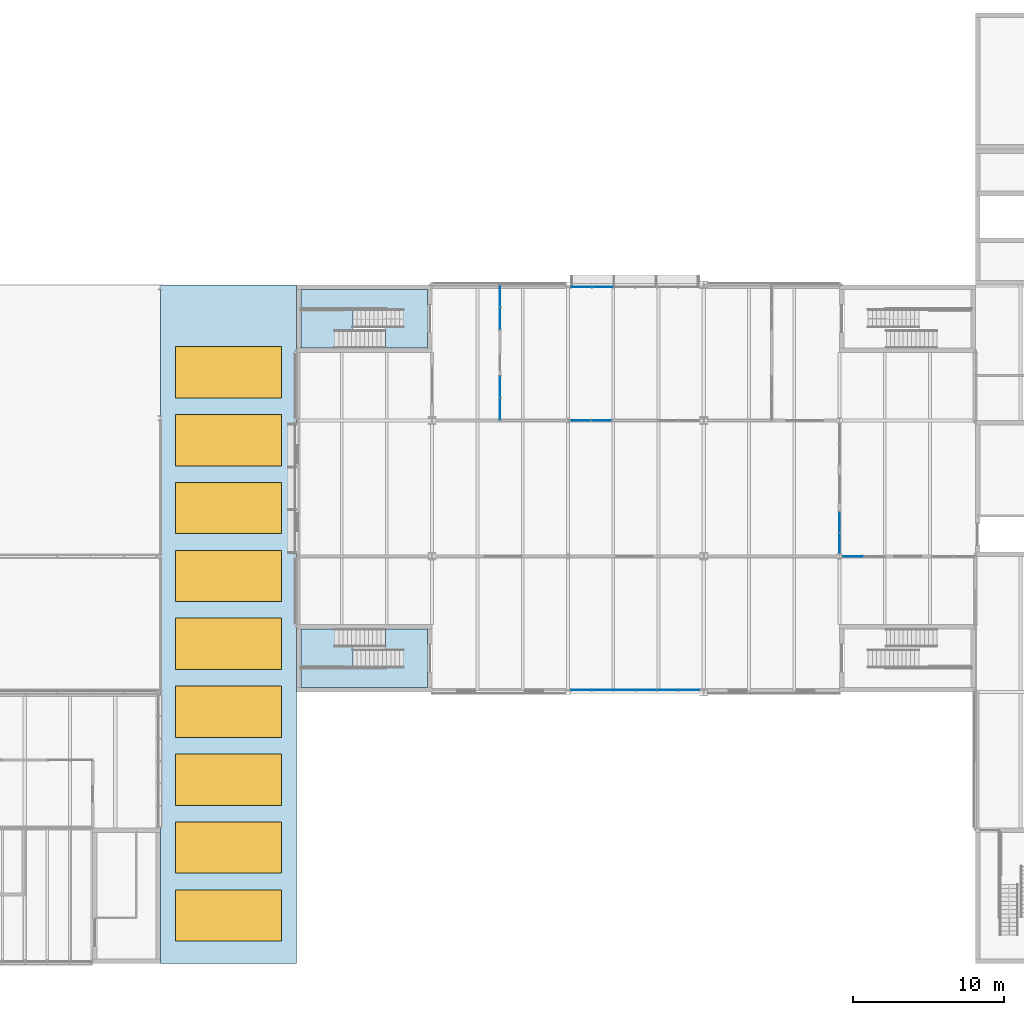
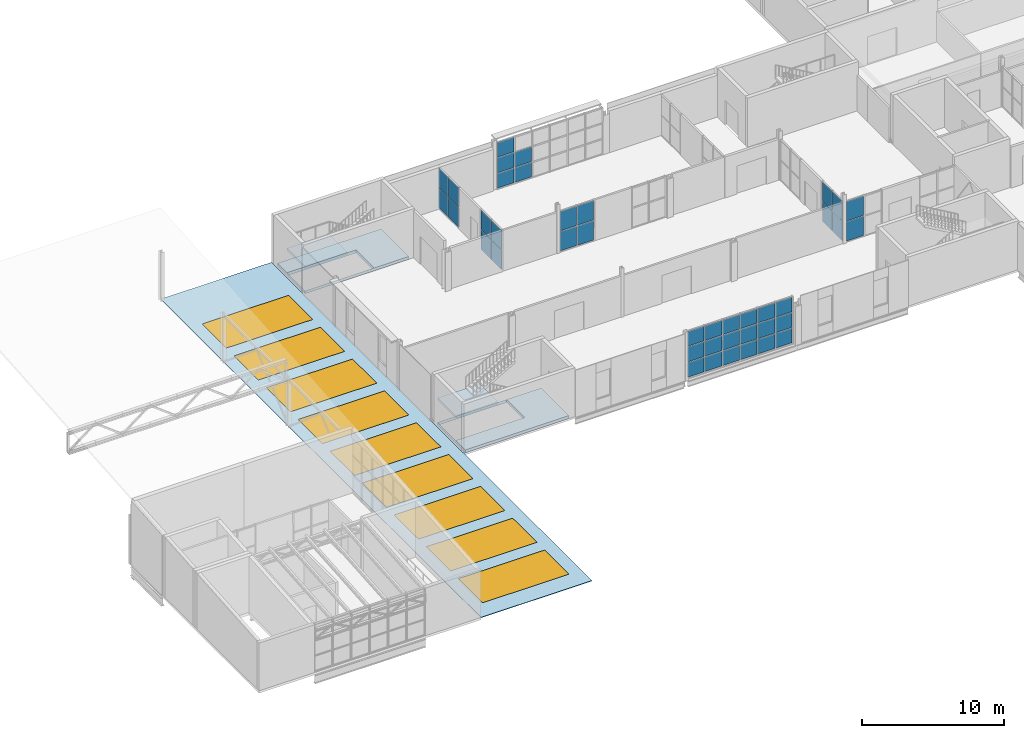
# One storey, part 35 of 61: 41 plates, 9 windows, 5 slabs, 9 openings, 9 elements without a shape of their own.
"""IFC4 building model written with IfcOpenShell, lengths in metres."""

from ifc_helpers import new_model, si_unit, direction, frame, origin, origin_2d, place, context, subcontext, project, spatial, polyline, rectangle, outline, extrude, material, layer, layer_set, type_object, element, fill, aggregate, save


model = new_model("IFC4")

# Units and contexts
model_context = context("Model", 3, precision=1e-05, world=origin(), true_north=direction((0.0, 1.0)))
body_context = subcontext(model_context, "Body", "Model", "MODEL_VIEW")
ifc_project = project(units=[si_unit("LENGTHUNIT", "METRE"), si_unit("AREAUNIT", "SQUARE_METRE"), si_unit("VOLUMEUNIT", "CUBIC_METRE"), si_unit("PLANEANGLEUNIT", "RADIAN"), si_unit("MASSUNIT", "GRAM", prefix="KILO")], contexts=[model_context])

# Site, building, storey
site_placement = place(None, origin())
site = spatial("IfcSite", under=ifc_project, at=site_placement, CompositionType="ELEMENT")
building_placement = place(site_placement, origin())
building = spatial("IfcBuilding", under=site, at=building_placement, Name="Halyard Row Museum", CompositionType="ELEMENT")
storey_placement = place(building_placement, frame((0.0, 0.0, 9.199951171875)))
storey = spatial("IfcBuildingStorey", under=building, at=storey_placement, Name="L02", CompositionType="ELEMENT", Elevation=9.199951171875)

# Slabs
ifc_material_1 = material(Name="Concrete 40 MPa", Category="concrete")
ifc_layer_1 = layer(ifc_material_1, 0.25)
ifc_layer_set_1 = layer_set([ifc_layer_1], Name="Concrete 40 MPa")
slab_type_1 = type_object("IfcSlabType", Name="Core floor slab 250", PredefinedType="FLOOR", material=ifc_layer_set_1)
slab_1_placement = place(storey_placement, frame((0.0, 0.0, -0.25)))
element("IfcSlab", 1, at=slab_1_placement, inside=storey, type_object=slab_type_1, Name="Core floor K1A L02", PredefinedType="FLOOR", context=body_context, shape_type="SweptSolid", body=[
    extrude(outline(polyline([(35.699951171875, 44.699951171875), (27.300048828125, 44.699951171875), (27.300048828125, 40.800048828125), (35.699951171875, 40.800048828125), (35.699951171875, 44.699951171875)]), holes=[polyline([(32.89697265625, 43.346923828125), (32.89697265625, 40.802978515625), (27.302978515625, 40.802978515625), (27.302978515625, 43.346923828125), (32.89697265625, 43.346923828125)])]), origin(), (0.0, 0.0, 1.0), 0.25),
])
slab_2_placement = place(storey_placement, frame((0.0, 0.0, -0.25)))
element("IfcSlab", 2, at=slab_2_placement, inside=storey, type_object=slab_type_1, Name="Core floor K1D L02", PredefinedType="FLOOR", context=body_context, shape_type="SweptSolid", body=[
    extrude(outline(polyline([(35.699951171875, 22.199951171875), (27.300048828125, 22.199951171875), (27.300048828125, 18.300048828125), (35.699951171875, 18.300048828125), (35.699951171875, 22.199951171875)]), holes=[polyline([(27.302978515625, 19.653076171875), (27.302978515625, 22.197021484375), (32.89697265625, 22.197021484375), (32.89697265625, 19.653076171875), (27.302978515625, 19.653076171875)])]), origin(), (0.0, 0.0, 1.0), 0.25),
])

# Curtain wall, plates
ifc_material_2 = material(Name="Double glazed unit, low-emissivity", Category="glass")
ifc_layer_2 = layer(ifc_material_2, 0.179931640625)
ifc_layer_set_2 = layer_set([ifc_layer_2], Name="Double glazed unit, low-emissivity")
curtain_wall_type_1 = type_object("IfcCurtainWallType", Name="Curtain wall stick 180 deep", PredefinedType="NOTDEFINED", material=ifc_layer_set_2)
curtain_wall_1_placement = place(storey_placement, origin())
curtain_wall_1 = element("IfcCurtainWall", 3, at=curtain_wall_1_placement, inside=storey, type_object=curtain_wall_type_1, Name="Curtain wall CW035", PredefinedType="NOTDEFINED")
ifc_material_3 = material(Name="Double glazed unit, low-emissivity", Category="glass")
ifc_layer_3 = layer(ifc_material_3, 0.028076171875)
ifc_layer_set_3 = layer_set([ifc_layer_3], Name="Double glazed unit, low-emissivity")
plate_type_1 = type_object("IfcPlateType", Name="Curtain wall glazed panel CP2 28", PredefinedType="CURTAIN_PANEL", material=ifc_layer_set_3)
plate_1_placement = place(storey_placement, frame((47.300048828125, 44.860107421875, 0.06005859375), z_axis=(0.0, 0.0, 1.0), x_axis=(-1.0, 0.0, 0.0)))
plate_1 = element("IfcPlate", 4, at=plate_1_placement, type_object=plate_type_1, Name="CW035 panel 5.1", PredefinedType="CURTAIN_PANEL", context=body_context, shape_type="SweptSolid", body=[
    extrude(rectangle(XDim=1.373291015625, YDim=0.028076171875, at=origin_2d()), origin(), (0.0, 0.0, 1.0), 1.2548828125),
])
plate_2_placement = place(storey_placement, frame((47.300048828125, 44.860107421875, 1.375), z_axis=(0.0, 0.0, 1.0), x_axis=(-1.0, 0.0, 0.0)))
plate_2 = element("IfcPlate", 5, at=plate_2_placement, type_object=plate_type_1, Name="CW035 panel 5.2", PredefinedType="CURTAIN_PANEL", context=body_context, shape_type="SweptSolid", body=[
    extrude(rectangle(XDim=1.373291015625, YDim=0.028076171875, at=origin_2d()), origin(), (0.0, 0.0, 1.0), 1.284912109375),
])
plate_3_placement = place(storey_placement, frame((45.881591796875, 44.860107421875, 0.06005859375), z_axis=(0.0, 0.0, 1.0), x_axis=(-1.0, 0.0, 0.0)))
plate_3 = element("IfcPlate", 6, at=plate_3_placement, type_object=plate_type_1, Name="CW035 panel 6.1", PredefinedType="CURTAIN_PANEL", context=body_context, shape_type="SweptSolid", body=[
    extrude(rectangle(XDim=1.34326171875, YDim=0.028076171875, at=origin_2d()), origin(), (0.0, 0.0, 1.0), 1.2548828125),
])
plate_4_placement = place(storey_placement, frame((45.881591796875, 44.860107421875, 1.375), z_axis=(0.0, 0.0, 1.0), x_axis=(-1.0, 0.0, 0.0)))
plate_4 = element("IfcPlate", 7, at=plate_4_placement, type_object=plate_type_1, Name="CW035 panel 6.2", PredefinedType="CURTAIN_PANEL", context=body_context, shape_type="SweptSolid", body=[
    extrude(rectangle(XDim=1.34326171875, YDim=0.028076171875, at=origin_2d()), origin(), (0.0, 0.0, 1.0), 1.284912109375),
])
plate_5_placement = place(storey_placement, frame((45.881591796875, 44.860107421875, 2.72021484375), z_axis=(0.0, 0.0, 1.0), x_axis=(-1.0, 0.0, 0.0)))
plate_5 = element("IfcPlate", 8, at=plate_5_placement, type_object=plate_type_1, Name="CW035 panel 6.3", PredefinedType="CURTAIN_PANEL", context=body_context, shape_type="SweptSolid", body=[
    extrude(rectangle(XDim=1.34326171875, YDim=0.028076171875, at=origin_2d()), origin(), (0.0, 0.0, 1.0), 1.2548828125),
])
aggregate(curtain_wall_1, [plate_1, plate_2, plate_3, plate_4, plate_5])

curtain_wall_2_placement = place(storey_placement, origin())
curtain_wall_2 = element("IfcCurtainWall", 9, at=curtain_wall_2_placement, inside=storey, type_object=curtain_wall_type_1, Name="Curtain wall CW036", PredefinedType="NOTDEFINED")
plate_6_placement = place(storey_placement, frame((45.881591796875, 18.139892578125, 0.06005859375), z_axis=(0.0, 0.0, 1.0), x_axis=(1.0, 0.0, 0.0)))
plate_6 = element("IfcPlate", 10, at=plate_6_placement, type_object=plate_type_1, Name="CW036 panel 1.1", PredefinedType="CURTAIN_PANEL", context=body_context, shape_type="SweptSolid", body=[
    extrude(rectangle(XDim=1.34326171875, YDim=0.028076171875, at=origin_2d()), origin(), (0.0, 0.0, 1.0), 1.2548828125),
])
plate_7_placement = place(storey_placement, frame((45.881591796875, 18.139892578125, 1.375), z_axis=(0.0, 0.0, 1.0), x_axis=(1.0, 0.0, 0.0)))
plate_7 = element("IfcPlate", 11, at=plate_7_placement, type_object=plate_type_1, Name="CW036 panel 1.2", PredefinedType="CURTAIN_PANEL", context=body_context, shape_type="SweptSolid", body=[
    extrude(rectangle(XDim=1.34326171875, YDim=0.028076171875, at=origin_2d()), origin(), (0.0, 0.0, 1.0), 1.284912109375),
])
plate_8_placement = place(storey_placement, frame((45.881591796875, 18.139892578125, 2.72021484375), z_axis=(0.0, 0.0, 1.0), x_axis=(1.0, 0.0, 0.0)))
plate_8 = element("IfcPlate", 12, at=plate_8_placement, type_object=plate_type_1, Name="CW036 panel 1.3", PredefinedType="CURTAIN_PANEL", context=body_context, shape_type="SweptSolid", body=[
    extrude(rectangle(XDim=1.34326171875, YDim=0.028076171875, at=origin_2d()), origin(), (0.0, 0.0, 1.0), 1.2548828125),
])
plate_9_placement = place(storey_placement, frame((47.300048828125, 18.139892578125, 0.06005859375), z_axis=(0.0, 0.0, 1.0), x_axis=(1.0, 0.0, 0.0)))
plate_9 = element("IfcPlate", 13, at=plate_9_placement, type_object=plate_type_1, Name="CW036 panel 2.1", PredefinedType="CURTAIN_PANEL", context=body_context, shape_type="SweptSolid", body=[
    extrude(rectangle(XDim=1.373291015625, YDim=0.028076171875, at=origin_2d()), origin(), (0.0, 0.0, 1.0), 1.2548828125),
])
plate_10_placement = place(storey_placement, frame((47.300048828125, 18.139892578125, 1.375), z_axis=(0.0, 0.0, 1.0), x_axis=(1.0, 0.0, 0.0)))
plate_10 = element("IfcPlate", 14, at=plate_10_placement, type_object=plate_type_1, Name="CW036 panel 2.2", PredefinedType="CURTAIN_PANEL", context=body_context, shape_type="SweptSolid", body=[
    extrude(rectangle(XDim=1.373291015625, YDim=0.028076171875, at=origin_2d()), origin(), (0.0, 0.0, 1.0), 1.284912109375),
])
plate_11_placement = place(storey_placement, frame((47.300048828125, 18.139892578125, 2.72021484375), z_axis=(0.0, 0.0, 1.0), x_axis=(1.0, 0.0, 0.0)))
plate_11 = element("IfcPlate", 15, at=plate_11_placement, type_object=plate_type_1, Name="CW036 panel 2.3", PredefinedType="CURTAIN_PANEL", context=body_context, shape_type="SweptSolid", body=[
    extrude(rectangle(XDim=1.373291015625, YDim=0.028076171875, at=origin_2d()), origin(), (0.0, 0.0, 1.0), 1.2548828125),
])
plate_12_placement = place(storey_placement, frame((48.7333984375, 18.139892578125, 0.06005859375), z_axis=(0.0, 0.0, 1.0), x_axis=(1.0, 0.0, 0.0)))
plate_12 = element("IfcPlate", 16, at=plate_12_placement, type_object=plate_type_1, Name="CW036 panel 3.1", PredefinedType="CURTAIN_PANEL", context=body_context, shape_type="SweptSolid", body=[
    extrude(rectangle(XDim=1.373291015625, YDim=0.028076171875, at=origin_2d()), origin(), (0.0, 0.0, 1.0), 1.2548828125),
])
plate_13_placement = place(storey_placement, frame((48.7333984375, 18.139892578125, 1.375), z_axis=(0.0, 0.0, 1.0), x_axis=(1.0, 0.0, 0.0)))
plate_13 = element("IfcPlate", 17, at=plate_13_placement, type_object=plate_type_1, Name="CW036 panel 3.2", PredefinedType="CURTAIN_PANEL", context=body_context, shape_type="SweptSolid", body=[
    extrude(rectangle(XDim=1.373291015625, YDim=0.028076171875, at=origin_2d()), origin(), (0.0, 0.0, 1.0), 1.284912109375),
])
plate_14_placement = place(storey_placement, frame((48.7333984375, 18.139892578125, 2.72021484375), z_axis=(0.0, 0.0, 1.0), x_axis=(1.0, 0.0, 0.0)))
plate_14 = element("IfcPlate", 18, at=plate_14_placement, type_object=plate_type_1, Name="CW036 panel 3.3", PredefinedType="CURTAIN_PANEL", context=body_context, shape_type="SweptSolid", body=[
    extrude(rectangle(XDim=1.373291015625, YDim=0.028076171875, at=origin_2d()), origin(), (0.0, 0.0, 1.0), 1.2548828125),
])
plate_15_placement = place(storey_placement, frame((50.166748046875, 18.139892578125, 0.06005859375), z_axis=(0.0, 0.0, 1.0), x_axis=(1.0, 0.0, 0.0)))
plate_15 = element("IfcPlate", 19, at=plate_15_placement, type_object=plate_type_1, Name="CW036 panel 4.1", PredefinedType="CURTAIN_PANEL", context=body_context, shape_type="SweptSolid", body=[
    extrude(rectangle(XDim=1.373291015625, YDim=0.028076171875, at=origin_2d()), origin(), (0.0, 0.0, 1.0), 1.2548828125),
])
plate_16_placement = place(storey_placement, frame((50.166748046875, 18.139892578125, 1.375), z_axis=(0.0, 0.0, 1.0), x_axis=(1.0, 0.0, 0.0)))
plate_16 = element("IfcPlate", 20, at=plate_16_placement, type_object=plate_type_1, Name="CW036 panel 4.2", PredefinedType="CURTAIN_PANEL", context=body_context, shape_type="SweptSolid", body=[
    extrude(rectangle(XDim=1.373291015625, YDim=0.028076171875, at=origin_2d()), origin(), (0.0, 0.0, 1.0), 1.284912109375),
])
plate_17_placement = place(storey_placement, frame((50.166748046875, 18.139892578125, 2.72021484375), z_axis=(0.0, 0.0, 1.0), x_axis=(1.0, 0.0, 0.0)))
plate_17 = element("IfcPlate", 21, at=plate_17_placement, type_object=plate_type_1, Name="CW036 panel 4.3", PredefinedType="CURTAIN_PANEL", context=body_context, shape_type="SweptSolid", body=[
    extrude(rectangle(XDim=1.373291015625, YDim=0.028076171875, at=origin_2d()), origin(), (0.0, 0.0, 1.0), 1.2548828125),
])
plate_18_placement = place(storey_placement, frame((51.60009765625, 18.139892578125, 0.06005859375), z_axis=(0.0, 0.0, 1.0), x_axis=(1.0, 0.0, 0.0)))
plate_18 = element("IfcPlate", 22, at=plate_18_placement, type_object=plate_type_1, Name="CW036 panel 5.1", PredefinedType="CURTAIN_PANEL", context=body_context, shape_type="SweptSolid", body=[
    extrude(rectangle(XDim=1.373291015625, YDim=0.028076171875, at=origin_2d()), origin(), (0.0, 0.0, 1.0), 1.2548828125),
])
plate_19_placement = place(storey_placement, frame((51.60009765625, 18.139892578125, 1.375), z_axis=(0.0, 0.0, 1.0), x_axis=(1.0, 0.0, 0.0)))
plate_19 = element("IfcPlate", 23, at=plate_19_placement, type_object=plate_type_1, Name="CW036 panel 5.2", PredefinedType="CURTAIN_PANEL", context=body_context, shape_type="SweptSolid", body=[
    extrude(rectangle(XDim=1.373291015625, YDim=0.028076171875, at=origin_2d()), origin(), (0.0, 0.0, 1.0), 1.284912109375),
])
plate_20_placement = place(storey_placement, frame((51.60009765625, 18.139892578125, 2.72021484375), z_axis=(0.0, 0.0, 1.0), x_axis=(1.0, 0.0, 0.0)))
plate_20 = element("IfcPlate", 24, at=plate_20_placement, type_object=plate_type_1, Name="CW036 panel 5.3", PredefinedType="CURTAIN_PANEL", context=body_context, shape_type="SweptSolid", body=[
    extrude(rectangle(XDim=1.373291015625, YDim=0.028076171875, at=origin_2d()), origin(), (0.0, 0.0, 1.0), 1.2548828125),
])
plate_21_placement = place(storey_placement, frame((53.018310546875, 18.139892578125, 0.06005859375), z_axis=(0.0, 0.0, 1.0), x_axis=(1.0, 0.0, 0.0)))
plate_21 = element("IfcPlate", 25, at=plate_21_placement, type_object=plate_type_1, Name="CW036 panel 6.1", PredefinedType="CURTAIN_PANEL", context=body_context, shape_type="SweptSolid", body=[
    extrude(rectangle(XDim=1.34326171875, YDim=0.028076171875, at=origin_2d()), origin(), (0.0, 0.0, 1.0), 1.2548828125),
])
plate_22_placement = place(storey_placement, frame((53.018310546875, 18.139892578125, 1.375), z_axis=(0.0, 0.0, 1.0), x_axis=(1.0, 0.0, 0.0)))
plate_22 = element("IfcPlate", 26, at=plate_22_placement, type_object=plate_type_1, Name="CW036 panel 6.2", PredefinedType="CURTAIN_PANEL", context=body_context, shape_type="SweptSolid", body=[
    extrude(rectangle(XDim=1.34326171875, YDim=0.028076171875, at=origin_2d()), origin(), (0.0, 0.0, 1.0), 1.284912109375),
])
plate_23_placement = place(storey_placement, frame((53.018310546875, 18.139892578125, 2.72021484375), z_axis=(0.0, 0.0, 1.0), x_axis=(1.0, 0.0, 0.0)))
plate_23 = element("IfcPlate", 27, at=plate_23_placement, type_object=plate_type_1, Name="CW036 panel 6.3", PredefinedType="CURTAIN_PANEL", context=body_context, shape_type="SweptSolid", body=[
    extrude(rectangle(XDim=1.34326171875, YDim=0.028076171875, at=origin_2d()), origin(), (0.0, 0.0, 1.0), 1.2548828125),
])
aggregate(curtain_wall_2, [plate_6, plate_7, plate_8, plate_9, plate_10, plate_11, plate_12, plate_13, plate_14, plate_15, plate_16, plate_17, plate_18, plate_19, plate_20, plate_21, plate_22, plate_23])

curtain_wall_3_placement = place(storey_placement, origin())
curtain_wall_3 = element("IfcCurtainWall", 28, at=curtain_wall_3_placement, inside=storey, type_object=curtain_wall_type_1, Name="Curtain wall CW164", PredefinedType="NOTDEFINED")
plate_24_placement = place(storey_placement, frame((45.844970703125, 36.0, 0.06005859375), z_axis=(0.0, 0.0, 1.0), x_axis=(1.0, 0.0, 0.0)))
plate_24 = element("IfcPlate", 29, at=plate_24_placement, type_object=plate_type_1, Name="CW164 panel 1.1", PredefinedType="CURTAIN_PANEL", context=body_context, shape_type="SweptSolid", body=[
    extrude(rectangle(XDim=1.315673828125, YDim=0.028076171875, at=origin_2d()), origin(), (0.0, 0.0, 1.0), 1.660888671875),
])
plate_25_placement = place(storey_placement, frame((45.844970703125, 36.0, 1.78125), z_axis=(0.0, 0.0, 1.0), x_axis=(1.0, 0.0, 0.0)))
plate_25 = element("IfcPlate", 30, at=plate_25_placement, type_object=plate_type_1, Name="CW164 panel 1.2", PredefinedType="CURTAIN_PANEL", context=body_context, shape_type="SweptSolid", body=[
    extrude(rectangle(XDim=1.315673828125, YDim=0.028076171875, at=origin_2d()), origin(), (0.0, 0.0, 1.0), 1.660888671875),
])
plate_26_placement = place(storey_placement, frame((47.220703125, 36.0, 0.06005859375), z_axis=(0.0, 0.0, 1.0), x_axis=(1.0, 0.0, 0.0)))
plate_26 = element("IfcPlate", 31, at=plate_26_placement, type_object=plate_type_1, Name="CW164 panel 2.1", PredefinedType="CURTAIN_PANEL", context=body_context, shape_type="SweptSolid", body=[
    extrude(rectangle(XDim=1.315673828125, YDim=0.028076171875, at=origin_2d()), origin(), (0.0, 0.0, 1.0), 1.660888671875),
])
plate_27_placement = place(storey_placement, frame((47.220703125, 36.0, 1.78125), z_axis=(0.0, 0.0, 1.0), x_axis=(1.0, 0.0, 0.0)))
plate_27 = element("IfcPlate", 32, at=plate_27_placement, type_object=plate_type_1, Name="CW164 panel 2.2", PredefinedType="CURTAIN_PANEL", context=body_context, shape_type="SweptSolid", body=[
    extrude(rectangle(XDim=1.315673828125, YDim=0.028076171875, at=origin_2d()), origin(), (0.0, 0.0, 1.0), 1.660888671875),
])
aggregate(curtain_wall_3, [plate_24, plate_25, plate_26, plate_27])

ifc_material_4 = material(Name="Fire-resisting laminated glazing", Category="glass")
ifc_layer_4 = layer(ifc_material_4, 0.159912109375)
ifc_layer_set_4 = layer_set([ifc_layer_4], Name="Fire-resisting laminated glazing")
curtain_wall_type_2 = type_object("IfcCurtainWallType", Name="Curtain wall atrium screen 160 deep", PredefinedType="NOTDEFINED", material=ifc_layer_set_4)
curtain_wall_4_placement = place(storey_placement, origin())
curtain_wall_4 = element("IfcCurtainWall", 33, at=curtain_wall_4_placement, inside=storey, type_object=curtain_wall_type_2, Name="Curtain wall CW162", PredefinedType="NOTDEFINED")
ifc_material_5 = material(Name="Fire-resisting laminated glazing", Category="glass")
ifc_layer_5 = layer(ifc_material_5, 0.0400390625)
ifc_layer_set_5 = layer_set([ifc_layer_5], Name="Fire-resisting laminated glazing")
plate_type_2 = type_object("IfcPlateType", Name="Curtain wall glazed panel CP5 40", PredefinedType="CURTAIN_PANEL", material=ifc_layer_set_5)
plate_28_placement = place(storey_placement, frame((63.8984375, 27.0, 0.06005859375), z_axis=(0.0, 0.0, 1.0), x_axis=(1.0, 0.0, 0.0)))
plate_28 = element("IfcPlate", 34, at=plate_28_placement, type_object=plate_type_2, Name="CW162 panel 1.1", PredefinedType="CURTAIN_PANEL", context=body_context, shape_type="SweptSolid", body=[
    extrude(rectangle(XDim=1.371826171875, YDim=0.0400390625, at=origin_2d()), origin(), (0.0, 0.0, 1.0), 1.660888671875),
])
plate_29_placement = place(storey_placement, frame((63.8984375, 27.0, 1.78125), z_axis=(0.0, 0.0, 1.0), x_axis=(1.0, 0.0, 0.0)))
plate_29 = element("IfcPlate", 35, at=plate_29_placement, type_object=plate_type_2, Name="CW162 panel 1.2", PredefinedType="CURTAIN_PANEL", context=body_context, shape_type="SweptSolid", body=[
    extrude(rectangle(XDim=1.371826171875, YDim=0.0400390625, at=origin_2d()), origin(), (0.0, 0.0, 1.0), 1.660888671875),
])
aggregate(curtain_wall_4, [plate_28, plate_29])

curtain_wall_5_placement = place(storey_placement, origin())
curtain_wall_5 = element("IfcCurtainWall", 36, at=curtain_wall_5_placement, inside=storey, type_object=curtain_wall_type_2, Name="Curtain wall CW166", PredefinedType="NOTDEFINED")
plate_30_placement = place(storey_placement, frame((63.0, 27.880615234375, 0.06005859375), z_axis=(0.0, 0.0, 1.0), x_axis=(0.0, 1.0, 0.0)))
plate_30 = element("IfcPlate", 37, at=plate_30_placement, type_object=plate_type_2, Name="CW166 panel 1.1", PredefinedType="CURTAIN_PANEL", context=body_context, shape_type="SweptSolid", body=[
    extrude(rectangle(XDim=1.3330078125, YDim=0.0400390625, at=origin_2d()), origin(), (0.0, 0.0, 1.0), 1.660888671875),
])
plate_31_placement = place(storey_placement, frame((63.0, 27.880615234375, 1.78125), z_axis=(0.0, 0.0, 1.0), x_axis=(0.0, 1.0, 0.0)))
plate_31 = element("IfcPlate", 38, at=plate_31_placement, type_object=plate_type_2, Name="CW166 panel 1.2", PredefinedType="CURTAIN_PANEL", context=body_context, shape_type="SweptSolid", body=[
    extrude(rectangle(XDim=1.3330078125, YDim=0.0400390625, at=origin_2d()), origin(), (0.0, 0.0, 1.0), 1.660888671875),
])
plate_32_placement = place(storey_placement, frame((63.0, 29.2734375, 0.06005859375), z_axis=(0.0, 0.0, 1.0), x_axis=(0.0, 1.0, 0.0)))
plate_32 = element("IfcPlate", 39, at=plate_32_placement, type_object=plate_type_2, Name="CW166 panel 2.1", PredefinedType="CURTAIN_PANEL", context=body_context, shape_type="SweptSolid", body=[
    extrude(rectangle(XDim=1.3330078125, YDim=0.0400390625, at=origin_2d()), origin(), (0.0, 0.0, 1.0), 1.660888671875),
])
plate_33_placement = place(storey_placement, frame((63.0, 29.2734375, 1.78125), z_axis=(0.0, 0.0, 1.0), x_axis=(0.0, 1.0, 0.0)))
plate_33 = element("IfcPlate", 40, at=plate_33_placement, type_object=plate_type_2, Name="CW166 panel 2.2", PredefinedType="CURTAIN_PANEL", context=body_context, shape_type="SweptSolid", body=[
    extrude(rectangle(XDim=1.3330078125, YDim=0.0400390625, at=origin_2d()), origin(), (0.0, 0.0, 1.0), 1.660888671875),
])
aggregate(curtain_wall_5, [plate_30, plate_31, plate_32, plate_33])

curtain_wall_6_placement = place(storey_placement, origin())
curtain_wall_6 = element("IfcCurtainWall", 41, at=curtain_wall_6_placement, inside=storey, type_object=curtain_wall_type_2, Name="Curtain wall CW168", PredefinedType="NOTDEFINED")
plate_34_placement = place(storey_placement, frame((40.5, 36.764892578125, 0.06005859375), z_axis=(0.0, 0.0, 1.0), x_axis=(0.0, 1.0, 0.0)))
plate_34 = element("IfcPlate", 42, at=plate_34_placement, type_object=plate_type_2, Name="CW168 panel 1.1", PredefinedType="CURTAIN_PANEL", context=body_context, shape_type="SweptSolid", body=[
    extrude(rectangle(XDim=1.409912109375, YDim=0.0400390625, at=origin_2d()), origin(), (0.0, 0.0, 1.0), 1.660888671875),
])
plate_35_placement = place(storey_placement, frame((40.5, 36.764892578125, 1.78125), z_axis=(0.0, 0.0, 1.0), x_axis=(0.0, 1.0, 0.0)))
plate_35 = element("IfcPlate", 43, at=plate_35_placement, type_object=plate_type_2, Name="CW168 panel 1.2", PredefinedType="CURTAIN_PANEL", context=body_context, shape_type="SweptSolid", body=[
    extrude(rectangle(XDim=1.409912109375, YDim=0.0400390625, at=origin_2d()), origin(), (0.0, 0.0, 1.0), 1.660888671875),
])
plate_36_placement = place(storey_placement, frame((40.5, 38.235107421875, 0.06005859375), z_axis=(0.0, 0.0, 1.0), x_axis=(0.0, 1.0, 0.0)))
plate_36 = element("IfcPlate", 44, at=plate_36_placement, type_object=plate_type_2, Name="CW168 panel 2.1", PredefinedType="CURTAIN_PANEL", context=body_context, shape_type="SweptSolid", body=[
    extrude(rectangle(XDim=1.409912109375, YDim=0.0400390625, at=origin_2d()), origin(), (0.0, 0.0, 1.0), 1.660888671875),
])
plate_37_placement = place(storey_placement, frame((40.5, 38.235107421875, 1.78125), z_axis=(0.0, 0.0, 1.0), x_axis=(0.0, 1.0, 0.0)))
plate_37 = element("IfcPlate", 45, at=plate_37_placement, type_object=plate_type_2, Name="CW168 panel 2.2", PredefinedType="CURTAIN_PANEL", context=body_context, shape_type="SweptSolid", body=[
    extrude(rectangle(XDim=1.409912109375, YDim=0.0400390625, at=origin_2d()), origin(), (0.0, 0.0, 1.0), 1.660888671875),
])
aggregate(curtain_wall_6, [plate_34, plate_35, plate_36, plate_37])

curtain_wall_7_placement = place(storey_placement, origin())
curtain_wall_7 = element("IfcCurtainWall", 46, at=curtain_wall_7_placement, inside=storey, type_object=curtain_wall_type_2, Name="Curtain wall CW169", PredefinedType="NOTDEFINED")
plate_38_placement = place(storey_placement, frame((40.5, 42.764892578125, 0.06005859375), z_axis=(0.0, 0.0, 1.0), x_axis=(0.0, 1.0, 0.0)))
plate_38 = element("IfcPlate", 47, at=plate_38_placement, type_object=plate_type_2, Name="CW169 panel 1.1", PredefinedType="CURTAIN_PANEL", context=body_context, shape_type="SweptSolid", body=[
    extrude(rectangle(XDim=1.409912109375, YDim=0.0400390625, at=origin_2d()), origin(), (0.0, 0.0, 1.0), 1.660888671875),
])
plate_39_placement = place(storey_placement, frame((40.5, 42.764892578125, 1.78125), z_axis=(0.0, 0.0, 1.0), x_axis=(0.0, 1.0, 0.0)))
plate_39 = element("IfcPlate", 48, at=plate_39_placement, type_object=plate_type_2, Name="CW169 panel 1.2", PredefinedType="CURTAIN_PANEL", context=body_context, shape_type="SweptSolid", body=[
    extrude(rectangle(XDim=1.409912109375, YDim=0.0400390625, at=origin_2d()), origin(), (0.0, 0.0, 1.0), 1.660888671875),
])
plate_40_placement = place(storey_placement, frame((40.5, 44.235107421875, 0.06005859375), z_axis=(0.0, 0.0, 1.0), x_axis=(0.0, 1.0, 0.0)))
plate_40 = element("IfcPlate", 49, at=plate_40_placement, type_object=plate_type_2, Name="CW169 panel 2.1", PredefinedType="CURTAIN_PANEL", context=body_context, shape_type="SweptSolid", body=[
    extrude(rectangle(XDim=1.409912109375, YDim=0.0400390625, at=origin_2d()), origin(), (0.0, 0.0, 1.0), 1.660888671875),
])
plate_41_placement = place(storey_placement, frame((40.5, 44.235107421875, 1.78125), z_axis=(0.0, 0.0, 1.0), x_axis=(0.0, 1.0, 0.0)))
plate_41 = element("IfcPlate", 50, at=plate_41_placement, type_object=plate_type_2, Name="CW169 panel 2.2", PredefinedType="CURTAIN_PANEL", context=body_context, shape_type="SweptSolid", body=[
    extrude(rectangle(XDim=1.409912109375, YDim=0.0400390625, at=origin_2d()), origin(), (0.0, 0.0, 1.0), 1.660888671875),
])
aggregate(curtain_wall_7, [plate_38, plate_39, plate_40, plate_41])

# Stair, slab
ifc_material_6 = material(Name="Concrete 40 MPa", Category="concrete")
stair_type = type_object("IfcStairType", Name="Exit stair two flights 1200", PredefinedType="HALF_TURN_STAIR", material=ifc_material_6)
stair_1_placement = place(storey_placement, origin())
stair_1 = element("IfcStair", 51, at=stair_1_placement, inside=storey, type_object=stair_type, Name="Exit stair K1A L02", PredefinedType="HALF_TURN_STAIR")
ifc_material_7 = material(Name="Concrete 40 MPa", Category="concrete")
ifc_layer_6 = layer(ifc_material_7, 0.199951171875)
ifc_layer_set_6 = layer_set([ifc_layer_6], Name="Concrete 40 MPa")
slab_type_2 = type_object("IfcSlabType", Name="Exit stair landing 200", PredefinedType="LANDING", material=ifc_layer_set_6)
slab_3_placement = place(storey_placement, frame((0.0, 0.0, 1.900146484375)))
slab_3 = element("IfcSlab", 52, at=slab_3_placement, type_object=slab_type_2, Name="STK1A-L02 landing 1", PredefinedType="LANDING", context=body_context, shape_type="SweptSolid", body=[
    extrude(outline(polyline([(30.739990234375, 43.35009765625), (30.739990234375, 40.800048828125), (27.300048828125, 40.800048828125), (27.300048828125, 43.35009765625), (30.739990234375, 43.35009765625)])), origin(), (0.0, 0.0, 1.0), 0.199951171875),
])
aggregate(stair_1, [slab_3])

stair_2_placement = place(storey_placement, origin())
stair_2 = element("IfcStair", 53, at=stair_2_placement, inside=storey, type_object=stair_type, Name="Exit stair K1D L02", PredefinedType="HALF_TURN_STAIR")
slab_4_placement = place(storey_placement, frame((0.0, 0.0, 1.900146484375)))
slab_4 = element("IfcSlab", 54, at=slab_4_placement, type_object=slab_type_2, Name="STK1D-L02 landing 1", PredefinedType="LANDING", context=body_context, shape_type="SweptSolid", body=[
    extrude(outline(polyline([(30.739990234375, 19.64990234375), (30.739990234375, 22.199951171875), (27.300048828125, 22.199951171875), (27.300048828125, 19.64990234375), (30.739990234375, 19.64990234375)])), origin(), (0.0, 0.0, 1.0), 0.199951171875),
])
aggregate(stair_2, [slab_4])

# Slab, openings, windows
ifc_material_8 = material(Name="Double glazed unit, low-emissivity", Category="glass")
ifc_layer_7 = layer(ifc_material_8, 0.0400390625)
ifc_layer_set_7 = layer_set([ifc_layer_7], Name="Double glazed unit, low-emissivity")
slab_type_3 = type_object("IfcSlabType", Name="Passage glazed roof 40", PredefinedType="ROOF", material=ifc_layer_set_7)
slab_5_placement = place(storey_placement, frame((0.0, 0.0, -0.0400390625)))
slab_5 = element("IfcSlab", 55, at=slab_5_placement, inside=storey, type_object=slab_type_3, Name="Passage glazed roof", PredefinedType="ROOF", context=body_context, shape_type="SweptSolid", body=[
    extrude(outline(polyline([(18.0, 0.0), (27.0, 0.0), (27.0, 45.0), (18.0, 45.0), (18.0, 0.0)])), origin(), (0.0, 0.0, 1.0), 0.0400390625),
])
opening_1_placement = place(slab_5_placement, frame((22.5, 3.199951171875, -0.010009765625)))
opening_1 = element("IfcOpeningElement", 56, at=opening_1_placement, cuts=slab_5, Name="Opening RLP-01", PredefinedType="OPENING", context=body_context, shape_type="SweptSolid", body=[
    extrude(rectangle(XDim=7.0, YDim=3.39990234375, at=origin_2d()), origin(), (0.0, 0.0, 1.0), 0.06005859375),
])
opening_2_placement = place(slab_5_placement, frame((22.5, 7.699951171875, -0.010009765625)))
opening_2 = element("IfcOpeningElement", 57, at=opening_2_placement, cuts=slab_5, Name="Opening RLP-02", PredefinedType="OPENING", context=body_context, shape_type="SweptSolid", body=[
    extrude(rectangle(XDim=7.0, YDim=3.39990234375, at=origin_2d()), origin(), (0.0, 0.0, 1.0), 0.06005859375),
])
opening_3_placement = place(slab_5_placement, frame((22.5, 12.199951171875, -0.010009765625)))
opening_3 = element("IfcOpeningElement", 58, at=opening_3_placement, cuts=slab_5, Name="Opening RLP-03", PredefinedType="OPENING", context=body_context, shape_type="SweptSolid", body=[
    extrude(rectangle(XDim=7.0, YDim=3.39990234375, at=origin_2d()), origin(), (0.0, 0.0, 1.0), 0.06005859375),
])
opening_4_placement = place(slab_5_placement, frame((22.5, 16.699951171875, -0.010009765625)))
opening_4 = element("IfcOpeningElement", 59, at=opening_4_placement, cuts=slab_5, Name="Opening RLP-04", PredefinedType="OPENING", context=body_context, shape_type="SweptSolid", body=[
    extrude(rectangle(XDim=7.0, YDim=3.39990234375, at=origin_2d()), origin(), (0.0, 0.0, 1.0), 0.06005859375),
])
opening_5_placement = place(slab_5_placement, frame((22.5, 21.199951171875, -0.010009765625)))
opening_5 = element("IfcOpeningElement", 60, at=opening_5_placement, cuts=slab_5, Name="Opening RLP-05", PredefinedType="OPENING", context=body_context, shape_type="SweptSolid", body=[
    extrude(rectangle(XDim=7.0, YDim=3.39990234375, at=origin_2d()), origin(), (0.0, 0.0, 1.0), 0.06005859375),
])
opening_6_placement = place(slab_5_placement, frame((22.5, 25.699951171875, -0.010009765625)))
opening_6 = element("IfcOpeningElement", 61, at=opening_6_placement, cuts=slab_5, Name="Opening RLP-06", PredefinedType="OPENING", context=body_context, shape_type="SweptSolid", body=[
    extrude(rectangle(XDim=7.0, YDim=3.39990234375, at=origin_2d()), origin(), (0.0, 0.0, 1.0), 0.06005859375),
])
opening_7_placement = place(slab_5_placement, frame((22.5, 30.199951171875, -0.010009765625)))
opening_7 = element("IfcOpeningElement", 62, at=opening_7_placement, cuts=slab_5, Name="Opening RLP-07", PredefinedType="OPENING", context=body_context, shape_type="SweptSolid", body=[
    extrude(rectangle(XDim=7.0, YDim=3.39990234375, at=origin_2d()), origin(), (0.0, 0.0, 1.0), 0.06005859375),
])
opening_8_placement = place(slab_5_placement, frame((22.5, 34.699951171875, -0.010009765625)))
opening_8 = element("IfcOpeningElement", 63, at=opening_8_placement, cuts=slab_5, Name="Opening RLP-08", PredefinedType="OPENING", context=body_context, shape_type="SweptSolid", body=[
    extrude(rectangle(XDim=7.0, YDim=3.39990234375, at=origin_2d()), origin(), (0.0, 0.0, 1.0), 0.06005859375),
])
opening_9_placement = place(slab_5_placement, frame((22.5, 39.199951171875, -0.010009765625)))
opening_9 = element("IfcOpeningElement", 64, at=opening_9_placement, cuts=slab_5, Name="Opening RLP-09", PredefinedType="OPENING", context=body_context, shape_type="SweptSolid", body=[
    extrude(rectangle(XDim=7.0, YDim=3.39990234375, at=origin_2d()), origin(), (0.0, 0.0, 1.0), 0.06005859375),
])
ifc_material_9 = material(Name="Double glazed unit, low-emissivity", Category="glass")
window_type = type_object("IfcWindowType", Name="Rooflight 7000 x 3400 passage", PartitioningType="SINGLE_PANEL", PredefinedType="SKYLIGHT", material=ifc_material_9)
window_1_placement = place(opening_1_placement, frame((0.0, 0.0, 0.010009765625)))
window_1 = element("IfcWindow", 65, at=window_1_placement, inside=storey, type_object=window_type, Name="Rooflight", OverallHeight=3.39990234375, OverallWidth=7.0, PartitioningType="SINGLE_PANEL", PredefinedType="SKYLIGHT", context=body_context, shape_type="SweptSolid", body=[
    extrude(rectangle(XDim=7.0, YDim=3.39990234375, at=origin_2d()), origin(), (0.0, 0.0, 1.0), 0.0400390625),
])
fill(opening_1, window_1)
window_2_placement = place(opening_2_placement, frame((0.0, 0.0, 0.010009765625)))
window_2 = element("IfcWindow", 66, at=window_2_placement, inside=storey, type_object=window_type, Name="Rooflight", OverallHeight=3.39990234375, OverallWidth=7.0, PartitioningType="SINGLE_PANEL", PredefinedType="SKYLIGHT", context=body_context, shape_type="SweptSolid", body=[
    extrude(rectangle(XDim=7.0, YDim=3.39990234375, at=origin_2d()), origin(), (0.0, 0.0, 1.0), 0.0400390625),
])
fill(opening_2, window_2)
window_3_placement = place(opening_3_placement, frame((0.0, 0.0, 0.010009765625)))
window_3 = element("IfcWindow", 67, at=window_3_placement, inside=storey, type_object=window_type, Name="Rooflight", OverallHeight=3.39990234375, OverallWidth=7.0, PartitioningType="SINGLE_PANEL", PredefinedType="SKYLIGHT", context=body_context, shape_type="SweptSolid", body=[
    extrude(rectangle(XDim=7.0, YDim=3.39990234375, at=origin_2d()), origin(), (0.0, 0.0, 1.0), 0.0400390625),
])
fill(opening_3, window_3)
window_4_placement = place(opening_4_placement, frame((0.0, 0.0, 0.010009765625)))
window_4 = element("IfcWindow", 68, at=window_4_placement, inside=storey, type_object=window_type, Name="Rooflight", OverallHeight=3.39990234375, OverallWidth=7.0, PartitioningType="SINGLE_PANEL", PredefinedType="SKYLIGHT", context=body_context, shape_type="SweptSolid", body=[
    extrude(rectangle(XDim=7.0, YDim=3.39990234375, at=origin_2d()), origin(), (0.0, 0.0, 1.0), 0.0400390625),
])
fill(opening_4, window_4)
window_5_placement = place(opening_5_placement, frame((0.0, 0.0, 0.010009765625)))
window_5 = element("IfcWindow", 69, at=window_5_placement, inside=storey, type_object=window_type, Name="Rooflight", OverallHeight=3.39990234375, OverallWidth=7.0, PartitioningType="SINGLE_PANEL", PredefinedType="SKYLIGHT", context=body_context, shape_type="SweptSolid", body=[
    extrude(rectangle(XDim=7.0, YDim=3.39990234375, at=origin_2d()), origin(), (0.0, 0.0, 1.0), 0.0400390625),
])
fill(opening_5, window_5)
window_6_placement = place(opening_6_placement, frame((0.0, 0.0, 0.010009765625)))
window_6 = element("IfcWindow", 70, at=window_6_placement, inside=storey, type_object=window_type, Name="Rooflight", OverallHeight=3.39990234375, OverallWidth=7.0, PartitioningType="SINGLE_PANEL", PredefinedType="SKYLIGHT", context=body_context, shape_type="SweptSolid", body=[
    extrude(rectangle(XDim=7.0, YDim=3.39990234375, at=origin_2d()), origin(), (0.0, 0.0, 1.0), 0.0400390625),
])
fill(opening_6, window_6)
window_7_placement = place(opening_7_placement, frame((0.0, 0.0, 0.010009765625)))
window_7 = element("IfcWindow", 71, at=window_7_placement, inside=storey, type_object=window_type, Name="Rooflight", OverallHeight=3.39990234375, OverallWidth=7.0, PartitioningType="SINGLE_PANEL", PredefinedType="SKYLIGHT", context=body_context, shape_type="SweptSolid", body=[
    extrude(rectangle(XDim=7.0, YDim=3.39990234375, at=origin_2d()), origin(), (0.0, 0.0, 1.0), 0.0400390625),
])
fill(opening_7, window_7)
window_8_placement = place(opening_8_placement, frame((0.0, 0.0, 0.010009765625)))
window_8 = element("IfcWindow", 72, at=window_8_placement, inside=storey, type_object=window_type, Name="Rooflight", OverallHeight=3.39990234375, OverallWidth=7.0, PartitioningType="SINGLE_PANEL", PredefinedType="SKYLIGHT", context=body_context, shape_type="SweptSolid", body=[
    extrude(rectangle(XDim=7.0, YDim=3.39990234375, at=origin_2d()), origin(), (0.0, 0.0, 1.0), 0.0400390625),
])
fill(opening_8, window_8)
window_9_placement = place(opening_9_placement, frame((0.0, 0.0, 0.010009765625)))
window_9 = element("IfcWindow", 73, at=window_9_placement, inside=storey, type_object=window_type, Name="Rooflight", OverallHeight=3.39990234375, OverallWidth=7.0, PartitioningType="SINGLE_PANEL", PredefinedType="SKYLIGHT", context=body_context, shape_type="SweptSolid", body=[
    extrude(rectangle(XDim=7.0, YDim=3.39990234375, at=origin_2d()), origin(), (0.0, 0.0, 1.0), 0.0400390625),
])
fill(opening_9, window_9)

save(model, "model.ifc")
